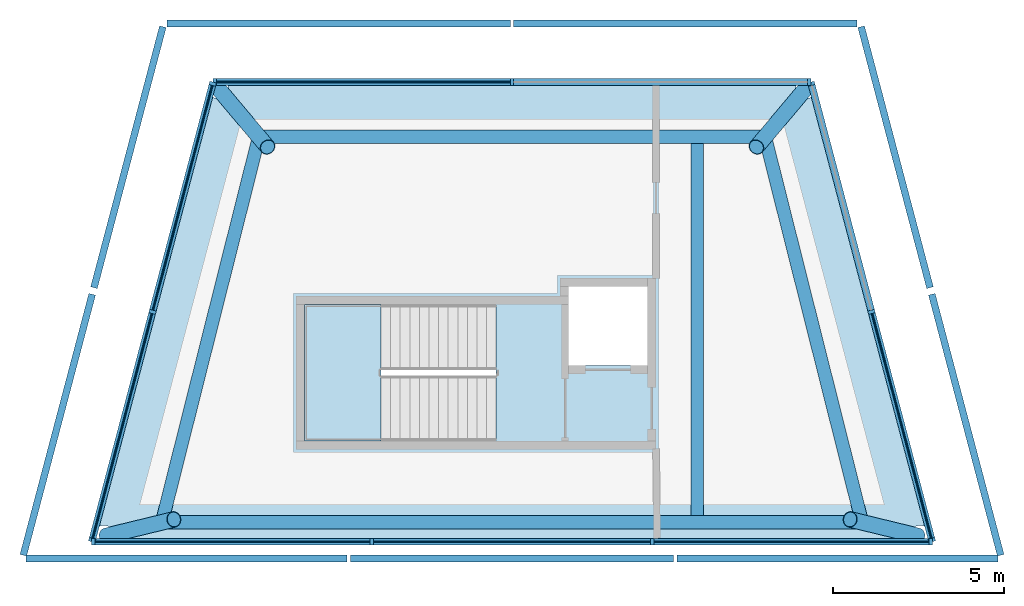
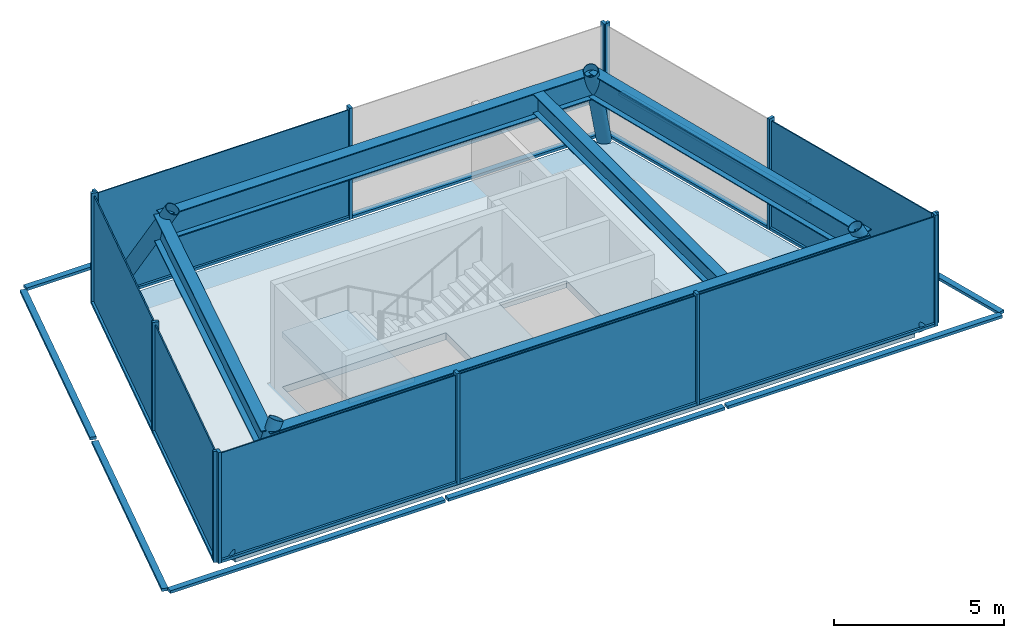
"""IFC4 building model written with IfcOpenShell, lengths in metres."""

from ifc_helpers import new_model, si_unit, direction, frame, origin, origin_2d, place, context, subcontext, project, spatial, polyline, rectangle, hollow_circle, i_section, outline, extrude, material, layer, layer_set, material_profile, profile_set, type_object, element, aggregate, save


model = new_model("IFC4")

# Units and contexts
model_context = context("Model", 3, precision=1e-05, world=origin(), true_north=direction((0.0, 1.0)))
body_context = subcontext(model_context, "Body", "Model", "MODEL_VIEW")
ifc_project = project(units=[si_unit("LENGTHUNIT", "METRE"), si_unit("AREAUNIT", "SQUARE_METRE"), si_unit("VOLUMEUNIT", "CUBIC_METRE"), si_unit("PLANEANGLEUNIT", "RADIAN"), si_unit("MASSUNIT", "GRAM", prefix="KILO")], contexts=[model_context])

# Site, building, storey
site_placement = place(None, origin())
site = spatial("IfcSite", under=ifc_project, at=site_placement, CompositionType="ELEMENT")
building_placement = place(site_placement, origin())
building = spatial("IfcBuilding", under=site, at=building_placement, Name="Quipu Civic Tower", CompositionType="ELEMENT")
storey_1_placement = place(building_placement, frame((0.0, 0.0, 380.0)))
storey_1 = spatial("IfcBuildingStorey", under=building, at=storey_1_placement, Name="L88", CompositionType="ELEMENT", Elevation=380.0)

# Beam
ifc_material_1 = material(Name="Steel ASTM A992 Grade 50 (fy 345 MPa)", Category="steel")
ifc_material_profile_1 = material_profile(ifc_material_1, i_section(OverallWidth=0.354736328125, OverallDepth=0.695556640625, WebThickness=0.015380859375, FlangeThickness=0.02490234375, at=origin_2d()), Name="W690x217")
ifc_profile_set_1 = profile_set([ifc_material_profile_1], Name="Steel ASTM A992 Grade 50 (fy 345 MPa)")
beam_type_1 = type_object("IfcBeamType", Name="Crown floor beam W690x217", PredefinedType="BEAM", material=ifc_profile_set_1)
beam_1_placement = place(storey_1_placement, frame((5.39990234375, -8.383544921875, 3.40234375), z_axis=(0.0, 1.0, 0.0), x_axis=(-1.0, 0.0, 0.0)))
element("IfcBeam", 1, at=beam_1_placement, inside=storey_1, type_object=beam_type_1, Name="Crown floor beam L88 454", PredefinedType="BEAM", context=body_context, shape_type="SweptSolid", body=[
    extrude(i_section(OverallWidth=0.354736328125, OverallDepth=0.695556640625, WebThickness=0.015380859375, FlangeThickness=0.02490234375, at=origin_2d()), origin(), (0.0, 0.0, 1.0), 10.855224609375),
])

# Members
ifc_material_2 = material(Name="Steel ASTM A500 Grade C (fy 345 MPa)", Category="steel")
ifc_material_profile_2 = material_profile(ifc_material_2, hollow_circle(Radius=0.228515625, WallThickness=0.015869140625, at=origin_2d()), Name="HSS457x15.9")
ifc_profile_set_2 = profile_set([ifc_material_profile_2], Name="Steel ASTM A500 Grade C (fy 345 MPa)")
member_type_1 = type_object("IfcMemberType", Name="Crown leg HSS457x15.9", PredefinedType="BRACE", material=ifc_profile_set_2)
for number, where, z_axis, x_axis, name in (
    (2, (-11.831298828125, -8.96923828125, 0.0), (0.439648984698, 0.106632705339, 0.891817378394), (-0.235706778152, 0.971824220079, 0.0), "Crown leg L88 1"),
    (3, (11.831298828125, -8.96923828125, 0.0), (-0.439648984698, 0.106632705339, 0.891817378394), (-0.235706778152, -0.971824220079, 0.0), "Crown leg L88 2"),
):
    element("IfcMember", number, at=place(storey_1_placement, frame(where, z_axis=z_axis, x_axis=x_axis)), inside=storey_1, type_object=member_type_1, Name=name, PredefinedType="BRACE", context=body_context, shape_type="SweptSolid", body=[
        extrude(hollow_circle(Radius=0.228515625, WallThickness=0.015869140625, at=origin_2d()), origin(), (0.0, 0.0, 1.0), 4.485107421875),
    ])
for number, where, z_axis, x_axis, name in (
    (4, (8.55126953125, 4.05810546875, 0.0), (-0.311781792121, -0.370367716403, 0.874997067851), (0.765019891013, -0.644006650862, 0.0), "Crown leg L88 3"),
    (5, (-8.55126953125, 4.05810546875, 0.0), (0.311781792121, -0.370367716403, 0.874997067851), (0.765019891013, 0.644006650862, 0.0), "Crown leg L88 4"),
):
    element("IfcMember", number, at=place(storey_1_placement, frame(where, z_axis=z_axis, x_axis=x_axis)), inside=storey_1, type_object=member_type_1, Name=name, PredefinedType="BRACE", context=body_context, shape_type="SweptSolid", body=[
        extrude(hollow_circle(Radius=0.228515625, WallThickness=0.015869140625, at=origin_2d()), origin(), (0.0, 0.0, 1.0), 4.571533203125),
    ])

# Beams
ifc_material_3 = material(Name="Steel ASTM A992 Grade 50 (fy 345 MPa)", Category="steel")
ifc_material_profile_3 = material_profile(ifc_material_3, i_section(OverallWidth=0.384033203125, OverallDepth=0.911865234375, WebThickness=0.019287109375, FlangeThickness=0.031982421875, at=origin_2d()), Name="W920x342")
ifc_profile_set_3 = profile_set([ifc_material_profile_3], Name="Steel ASTM A992 Grade 50 (fy 345 MPa)")
beam_type_2 = type_object("IfcBeamType", Name="Crown ring girder W920x342", PredefinedType="BEAM", material=ifc_profile_set_3)
beam_2_placement = place(storey_1_placement, frame((-10.20751953125, -8.575439453125, 3.294189453125), z_axis=(1.0, 0.0, 0.0), x_axis=(0.0, 1.0, 0.0)))
element("IfcBeam", 6, at=beam_2_placement, inside=storey_1, type_object=beam_type_2, Name="Crown ring girder L88 1 to 2", PredefinedType="BEAM", context=body_context, shape_type="SweptSolid", body=[
    extrude(i_section(OverallWidth=0.384033203125, OverallDepth=0.911865234375, WebThickness=0.019287109375, FlangeThickness=0.031982421875, at=origin_2d()), origin(), (0.0, 0.0, 1.0), 20.4150390625),
])
beam_3_placement = place(storey_1_placement, frame((10.20751953125, -8.575439453125, 3.294189453125), z_axis=(-0.244160984015, 0.969734713148, 0.0), x_axis=(-0.969734713148, -0.244160984015, 0.0)))
element("IfcBeam", 7, at=beam_3_placement, inside=storey_1, type_object=beam_type_2, Name="Crown ring girder L88 2 to 3", PredefinedType="BEAM", context=body_context, shape_type="SweptSolid", body=[
    extrude(i_section(OverallWidth=0.384033203125, OverallDepth=0.911865234375, WebThickness=0.019287109375, FlangeThickness=0.031982421875, at=origin_2d()), origin(), (0.0, 0.0, 1.0), 11.590087890625),
])
beam_4_placement = place(storey_1_placement, frame((7.377685546875, 2.663818359375, 3.294189453125), z_axis=(-1.0, 0.0, 0.0), x_axis=(0.0, -1.0, 0.0)))
element("IfcBeam", 8, at=beam_4_placement, inside=storey_1, type_object=beam_type_2, Name="Crown ring girder L88 3 to 4", PredefinedType="BEAM", context=body_context, shape_type="SweptSolid", body=[
    extrude(i_section(OverallWidth=0.384033203125, OverallDepth=0.911865234375, WebThickness=0.019287109375, FlangeThickness=0.031982421875, at=origin_2d()), origin(), (0.0, 0.0, 1.0), 14.75537109375),
])
beam_5_placement = place(storey_1_placement, frame((-7.377685546875, 2.663818359375, 3.294189453125), z_axis=(-0.244160984015, -0.969734713148, 0.0), x_axis=(0.969734713148, -0.244160984015, 0.0)))
element("IfcBeam", 9, at=beam_5_placement, inside=storey_1, type_object=beam_type_2, Name="Crown ring girder L88 4 to 1", PredefinedType="BEAM", context=body_context, shape_type="SweptSolid", body=[
    extrude(i_section(OverallWidth=0.384033203125, OverallDepth=0.911865234375, WebThickness=0.019287109375, FlangeThickness=0.031982421875, at=origin_2d()), origin(), (0.0, 0.0, 1.0), 11.590087890625),
])

# Curtain wall, members
ifc_material_4 = material(Name="Insulated glass unit", Category="glass")
curtain_wall_type_1 = type_object("IfcCurtainWallType", Name="Crown glass facets CW6", PredefinedType="NOTDEFINED", material=ifc_material_4)
curtain_wall_1_placement = place(storey_1_placement, origin())
curtain_wall_1 = element("IfcCurtainWall", 10, at=curtain_wall_1_placement, inside=storey_1, type_object=curtain_wall_type_1, Name="Crown glass facets CW6 L88 run 1", PredefinedType="NOTDEFINED")
ifc_material_5 = material(Name="Anodised aluminium", Category="aluminium")
ifc_material_profile_4 = material_profile(ifc_material_5, rectangle(XDim=0.199951171875, YDim=0.10009765625, at=origin_2d()), Name="RECT 200x100")
ifc_profile_set_4 = profile_set([ifc_material_profile_4], Name="Anodised aluminium")
member_type_2 = type_object("IfcMemberType", Name="Mullion CW6", PredefinedType="MULLION", material=ifc_profile_set_4)
member_1_placement = place(storey_1_placement, frame((-12.20263671875, -9.139892578125, 0.050048828125), z_axis=(0.0, 0.0, 1.0), x_axis=(0.0, 1.0, 0.0)))
member_1 = element("IfcMember", 11, at=member_1_placement, type_object=member_type_2, Name="CW6 mullion 1", PredefinedType="MULLION", context=body_context, shape_type="SweptSolid", body=[
    extrude(rectangle(XDim=0.199951171875, YDim=0.10009765625, at=origin_2d()), origin(), (0.0, 0.0, 1.0), 4.0),
])
member_2_placement = place(storey_1_placement, frame((-4.084228515625, -9.139892578125, 0.050048828125), z_axis=(0.0, 0.0, 1.0), x_axis=(0.0, 1.0, 0.0)))
member_2 = element("IfcMember", 12, at=member_2_placement, type_object=member_type_2, Name="CW6 mullion 2", PredefinedType="MULLION", context=body_context, shape_type="SweptSolid", body=[
    extrude(rectangle(XDim=0.199951171875, YDim=0.10009765625, at=origin_2d()), origin(), (0.0, 0.0, 1.0), 4.0),
])
member_3_placement = place(storey_1_placement, frame((4.084228515625, -9.139892578125, 0.050048828125), z_axis=(0.0, 0.0, 1.0), x_axis=(0.0, 1.0, 0.0)))
member_3 = element("IfcMember", 13, at=member_3_placement, type_object=member_type_2, Name="CW6 mullion 3", PredefinedType="MULLION", context=body_context, shape_type="SweptSolid", body=[
    extrude(rectangle(XDim=0.199951171875, YDim=0.10009765625, at=origin_2d()), origin(), (0.0, 0.0, 1.0), 4.0),
])
member_4_placement = place(storey_1_placement, frame((12.20263671875, -9.139892578125, 0.050048828125), z_axis=(0.0, 0.0, 1.0), x_axis=(0.0, 1.0, 0.0)))
member_4 = element("IfcMember", 14, at=member_4_placement, type_object=member_type_2, Name="CW6 mullion 4", PredefinedType="MULLION", context=body_context, shape_type="SweptSolid", body=[
    extrude(rectangle(XDim=0.199951171875, YDim=0.10009765625, at=origin_2d()), origin(), (0.0, 0.0, 1.0), 4.0),
])

curtain_wall_2_placement = place(storey_1_placement, origin())
curtain_wall_2 = element("IfcCurtainWall", 15, at=curtain_wall_2_placement, inside=storey_1, type_object=curtain_wall_type_1, Name="Crown glass facets CW6 L88 run 3", PredefinedType="NOTDEFINED")
member_5_placement = place(storey_1_placement, frame((8.6640625, 4.260009765625, 0.050048828125), z_axis=(0.0, 0.0, 1.0), x_axis=(0.0, -1.0, 0.0)))
member_5 = element("IfcMember", 16, at=member_5_placement, type_object=member_type_2, Name="CW6 mullion 1", PredefinedType="MULLION", context=body_context, shape_type="SweptSolid", body=[
    extrude(rectangle(XDim=0.199951171875, YDim=0.10009765625, at=origin_2d()), origin(), (0.0, 0.0, 1.0), 4.0),
])
member_6_placement = place(storey_1_placement, frame((0.0, 4.260009765625, 0.050048828125), z_axis=(0.0, 0.0, 1.0), x_axis=(0.0, -1.0, 0.0)))
member_6 = element("IfcMember", 17, at=member_6_placement, type_object=member_type_2, Name="CW6 mullion 2", PredefinedType="MULLION", context=body_context, shape_type="SweptSolid", body=[
    extrude(rectangle(XDim=0.199951171875, YDim=0.10009765625, at=origin_2d()), origin(), (0.0, 0.0, 1.0), 4.0),
])
member_7_placement = place(storey_1_placement, frame((-8.6640625, 4.260009765625, 0.050048828125), z_axis=(0.0, 0.0, 1.0), x_axis=(0.0, -1.0, 0.0)))
member_7 = element("IfcMember", 18, at=member_7_placement, type_object=member_type_2, Name="CW6 mullion 3", PredefinedType="MULLION", context=body_context, shape_type="SweptSolid", body=[
    extrude(rectangle(XDim=0.199951171875, YDim=0.10009765625, at=origin_2d()), origin(), (0.0, 0.0, 1.0), 4.0),
])

ifc_material_6 = material(Name="Anodised aluminium insulated panel", Category="aluminium")
curtain_wall_type_2 = type_object("IfcCurtainWallType", Name="Insulated infill wall CW6I", PredefinedType="NOTDEFINED", material=ifc_material_6)
curtain_wall_3_placement = place(storey_1_placement, origin())
curtain_wall_3 = element("IfcCurtainWall", 19, at=curtain_wall_3_placement, inside=storey_1, type_object=curtain_wall_type_2, Name="Insulated infill wall CW6I L88 run 2", PredefinedType="NOTDEFINED")
ifc_material_7 = material(Name="Anodised aluminium", Category="aluminium")
ifc_material_profile_5 = material_profile(ifc_material_7, rectangle(XDim=0.199951171875, YDim=0.10009765625, at=origin_2d()), Name="RECT 200x100")
ifc_profile_set_5 = profile_set([ifc_material_profile_5], Name="Anodised aluminium")
member_type_3 = type_object("IfcMemberType", Name="Mullion CW6I", PredefinedType="MULLION", material=ifc_profile_set_5)
member_8_placement = place(storey_1_placement, frame((12.239990234375, -9.091552734375, 0.050048828125), z_axis=(0.0, 0.0, 1.0), x_axis=(-0.966856039352, -0.255322147823, 0.0)))
member_8 = element("IfcMember", 20, at=member_8_placement, type_object=member_type_3, Name="CW6I mullion 1", PredefinedType="MULLION", context=body_context, shape_type="SweptSolid", body=[
    extrude(rectangle(XDim=0.199951171875, YDim=0.10009765625, at=origin_2d()), origin(), (0.0, 0.0, 1.0), 4.0),
])
member_9_placement = place(storey_1_placement, frame((10.4833984375, -2.43994140625, 0.050048828125), z_axis=(0.0, 0.0, 1.0), x_axis=(-0.966856039352, -0.255322147823, 0.0)))
member_9 = element("IfcMember", 21, at=member_9_placement, type_object=member_type_3, Name="CW6I mullion 2", PredefinedType="MULLION", context=body_context, shape_type="SweptSolid", body=[
    extrude(rectangle(XDim=0.199951171875, YDim=0.10009765625, at=origin_2d()), origin(), (0.0, 0.0, 1.0), 4.0),
])
member_10_placement = place(storey_1_placement, frame((8.726806640625, 4.211669921875, 0.050048828125), z_axis=(0.0, 0.0, 1.0), x_axis=(-0.966856039352, -0.255322147823, 0.0)))
member_10 = element("IfcMember", 22, at=member_10_placement, type_object=member_type_3, Name="CW6I mullion 3", PredefinedType="MULLION", context=body_context, shape_type="SweptSolid", body=[
    extrude(rectangle(XDim=0.199951171875, YDim=0.10009765625, at=origin_2d()), origin(), (0.0, 0.0, 1.0), 4.0),
])

curtain_wall_4_placement = place(storey_1_placement, origin())
curtain_wall_4 = element("IfcCurtainWall", 23, at=curtain_wall_4_placement, inside=storey_1, type_object=curtain_wall_type_2, Name="Insulated infill wall CW6I L88 run 4", PredefinedType="NOTDEFINED")
member_11_placement = place(storey_1_placement, frame((-8.726806640625, 4.211669921875, 0.050048828125), z_axis=(0.0, 0.0, 1.0), x_axis=(0.966856039352, -0.255322147823, 0.0)))
member_11 = element("IfcMember", 24, at=member_11_placement, type_object=member_type_3, Name="CW6I mullion 1", PredefinedType="MULLION", context=body_context, shape_type="SweptSolid", body=[
    extrude(rectangle(XDim=0.199951171875, YDim=0.10009765625, at=origin_2d()), origin(), (0.0, 0.0, 1.0), 4.0),
])
member_12_placement = place(storey_1_placement, frame((-10.4833984375, -2.43994140625, 0.050048828125), z_axis=(0.0, 0.0, 1.0), x_axis=(0.966856039352, -0.255322147823, 0.0)))
member_12 = element("IfcMember", 25, at=member_12_placement, type_object=member_type_3, Name="CW6I mullion 2", PredefinedType="MULLION", context=body_context, shape_type="SweptSolid", body=[
    extrude(rectangle(XDim=0.199951171875, YDim=0.10009765625, at=origin_2d()), origin(), (0.0, 0.0, 1.0), 4.0),
])
member_13_placement = place(storey_1_placement, frame((-12.239990234375, -9.091552734375, 0.050048828125), z_axis=(0.0, 0.0, 1.0), x_axis=(0.966856039352, -0.255322147823, 0.0)))
member_13 = element("IfcMember", 26, at=member_13_placement, type_object=member_type_3, Name="CW6I mullion 3", PredefinedType="MULLION", context=body_context, shape_type="SweptSolid", body=[
    extrude(rectangle(XDim=0.199951171875, YDim=0.10009765625, at=origin_2d()), origin(), (0.0, 0.0, 1.0), 4.0),
])

# Storey
storey_2_placement = place(building_placement, frame((0.0, 0.0, 376.0)))
storey_2 = spatial("IfcBuildingStorey", under=building, at=storey_2_placement, Name="L87", CompositionType="ELEMENT", Elevation=376.0)

# Curtain wall, members
curtain_wall_5_placement = place(storey_2_placement, origin())
curtain_wall_5 = element("IfcCurtainWall", 27, at=curtain_wall_5_placement, inside=storey_2, type_object=curtain_wall_type_1, Name="Crown glass facets CW6 L87 run 1", PredefinedType="NOTDEFINED")
ifc_material_8 = material(Name="Anodised aluminium", Category="aluminium")
ifc_material_profile_6 = material_profile(ifc_material_8, rectangle(XDim=0.199951171875, YDim=0.10009765625, at=origin_2d()), Name="RECT 200x100")
ifc_profile_set_6 = profile_set([ifc_material_profile_6], Name="Anodised aluminium")
member_type_4 = type_object("IfcMemberType", Name="Transom CW6", PredefinedType="USERDEFINED", material=ifc_profile_set_6)
member_14_placement = place(storey_1_placement, frame((-14.173095703125, -9.6298828125, 0.0), z_axis=(1.0, 0.0, 0.0), x_axis=(0.0, 1.0, 0.0)))
member_14 = element("IfcMember", 28, at=member_14_placement, inside=storey_1, type_object=member_type_4, Name="CW6 transom 1.2", ObjectType="TRANSOM", PredefinedType="USERDEFINED", context=body_context, shape_type="SweptSolid", body=[
    extrude(rectangle(XDim=0.199951171875, YDim=0.10009765625, at=origin_2d()), origin(), (0.0, 0.0, 1.0), 9.365478515625),
])
member_15_placement = place(storey_1_placement, frame((-4.707763671875, -9.6298828125, 0.0), z_axis=(1.0, 0.0, 0.0), x_axis=(0.0, 1.0, 0.0)))
member_15 = element("IfcMember", 29, at=member_15_placement, inside=storey_1, type_object=member_type_4, Name="CW6 transom 2.2", ObjectType="TRANSOM", PredefinedType="USERDEFINED", context=body_context, shape_type="SweptSolid", body=[
    extrude(rectangle(XDim=0.199951171875, YDim=0.10009765625, at=origin_2d()), origin(), (0.0, 0.0, 1.0), 9.41552734375),
])
member_16_placement = place(storey_1_placement, frame((4.8076171875, -9.6298828125, 0.0), z_axis=(1.0, 0.0, 0.0), x_axis=(0.0, 1.0, 0.0)))
member_16 = element("IfcMember", 30, at=member_16_placement, inside=storey_1, type_object=member_type_4, Name="CW6 transom 3.2", ObjectType="TRANSOM", PredefinedType="USERDEFINED", context=body_context, shape_type="SweptSolid", body=[
    extrude(rectangle(XDim=0.199951171875, YDim=0.10009765625, at=origin_2d()), origin(), (0.0, 0.0, 1.0), 9.365478515625),
])
aggregate(curtain_wall_5, [member_14, member_15, member_16])

# Curtain wall, member
curtain_wall_6_placement = place(storey_2_placement, origin())
curtain_wall_6 = element("IfcCurtainWall", 31, at=curtain_wall_6_placement, inside=storey_2, type_object=curtain_wall_type_1, Name="Crown glass facets CW6 L87 run 2b", PredefinedType="NOTDEFINED")
member_17_placement = place(storey_1_placement, frame((12.18798828125, -1.7333984375, 0.0), z_axis=(-0.255328728475, 0.966854301545, 0.0), x_axis=(-0.966854301545, -0.255328728475, 0.0)))
member_17 = element("IfcMember", 32, at=member_17_placement, inside=storey_1, type_object=member_type_4, Name="CW6 transom 1.2", ObjectType="TRANSOM", PredefinedType="USERDEFINED", context=body_context, shape_type="SweptSolid", body=[
    extrude(rectangle(XDim=0.199951171875, YDim=0.10009765625, at=origin_2d()), origin(), (0.0, 0.0, 1.0), 7.867431640625),
])
aggregate(curtain_wall_6, [member_17])

# Curtain wall, members
curtain_wall_7_placement = place(storey_2_placement, origin())
curtain_wall_7 = element("IfcCurtainWall", 33, at=curtain_wall_7_placement, inside=storey_2, type_object=curtain_wall_type_1, Name="Crown glass facets CW6 L87 run 3", PredefinedType="NOTDEFINED")
member_18_placement = place(storey_1_placement, frame((10.0537109375, 5.969970703125, 0.0), z_axis=(-1.0, 0.0, 0.0), x_axis=(0.0, -1.0, 0.0)))
member_18 = element("IfcMember", 34, at=member_18_placement, inside=storey_1, type_object=member_type_4, Name="CW6 transom 1.2", ObjectType="TRANSOM", PredefinedType="USERDEFINED", context=body_context, shape_type="SweptSolid", body=[
    extrude(rectangle(XDim=0.199951171875, YDim=0.10009765625, at=origin_2d()), origin(), (0.0, 0.0, 1.0), 10.003662109375),
])
member_19_placement = place(storey_1_placement, frame((-0.050048828125, 5.969970703125, 0.0), z_axis=(-1.0, 0.0, 0.0), x_axis=(0.0, -1.0, 0.0)))
member_19 = element("IfcMember", 35, at=member_19_placement, inside=storey_1, type_object=member_type_4, Name="CW6 transom 2.2", ObjectType="TRANSOM", PredefinedType="USERDEFINED", context=body_context, shape_type="SweptSolid", body=[
    extrude(rectangle(XDim=0.199951171875, YDim=0.10009765625, at=origin_2d()), origin(), (0.0, 0.0, 1.0), 10.003662109375),
])
aggregate(curtain_wall_7, [member_18, member_19])

# Curtain wall, member
curtain_wall_8_placement = place(storey_2_placement, origin())
curtain_wall_8 = element("IfcCurtainWall", 36, at=curtain_wall_8_placement, inside=storey_2, type_object=curtain_wall_type_1, Name="Crown glass facets CW6 L87 run 4a", PredefinedType="NOTDEFINED")
member_20_placement = place(storey_1_placement, frame((-10.17919921875, 5.873291015625, 0.0), z_axis=(-0.255328728475, -0.966854301545, 0.0), x_axis=(0.966854301545, -0.255328728475, 0.0)))
member_20 = element("IfcMember", 37, at=member_20_placement, inside=storey_1, type_object=member_type_4, Name="CW6 transom 1.2", ObjectType="TRANSOM", PredefinedType="USERDEFINED", context=body_context, shape_type="SweptSolid", body=[
    extrude(rectangle(XDim=0.199951171875, YDim=0.10009765625, at=origin_2d()), origin(), (0.0, 0.0, 1.0), 7.867431640625),
])
aggregate(curtain_wall_8, [member_20])

# Member
member_21_placement = place(storey_1_placement, frame((-12.152587890625, -9.139892578125, 0.10009765625), z_axis=(1.0, 0.0, 0.0), x_axis=(0.0, 1.0, 0.0)))
member_21 = element("IfcMember", 38, at=member_21_placement, type_object=member_type_4, Name="CW6 transom 1.1", ObjectType="TRANSOM", PredefinedType="USERDEFINED", context=body_context, shape_type="SweptSolid", body=[
    extrude(rectangle(XDim=0.199951171875, YDim=0.10009765625, at=origin_2d()), origin(), (0.0, 0.0, 1.0), 8.018310546875),
])

member_22_placement = place(storey_1_placement, frame((-4.0341796875, -9.139892578125, 0.10009765625), z_axis=(1.0, 0.0, 0.0), x_axis=(0.0, 1.0, 0.0)))
member_22 = element("IfcMember", 39, at=member_22_placement, type_object=member_type_4, Name="CW6 transom 2.1", ObjectType="TRANSOM", PredefinedType="USERDEFINED", context=body_context, shape_type="SweptSolid", body=[
    extrude(rectangle(XDim=0.199951171875, YDim=0.10009765625, at=origin_2d()), origin(), (0.0, 0.0, 1.0), 8.068359375),
])

member_23_placement = place(storey_1_placement, frame((4.13427734375, -9.139892578125, 0.10009765625), z_axis=(1.0, 0.0, 0.0), x_axis=(0.0, 1.0, 0.0)))
member_23 = element("IfcMember", 40, at=member_23_placement, type_object=member_type_4, Name="CW6 transom 3.1", ObjectType="TRANSOM", PredefinedType="USERDEFINED", context=body_context, shape_type="SweptSolid", body=[
    extrude(rectangle(XDim=0.199951171875, YDim=0.10009765625, at=origin_2d()), origin(), (0.0, 0.0, 1.0), 8.018310546875),
])

member_24_placement = place(storey_1_placement, frame((8.614013671875, 4.260009765625, 0.10009765625), z_axis=(-1.0, 0.0, 0.0), x_axis=(0.0, -1.0, 0.0)))
member_24 = element("IfcMember", 41, at=member_24_placement, type_object=member_type_4, Name="CW6 transom 1.1", ObjectType="TRANSOM", PredefinedType="USERDEFINED", context=body_context, shape_type="SweptSolid", body=[
    extrude(rectangle(XDim=0.199951171875, YDim=0.10009765625, at=origin_2d()), origin(), (0.0, 0.0, 1.0), 8.56396484375),
])

member_25_placement = place(storey_1_placement, frame((-0.050048828125, 4.260009765625, 0.10009765625), z_axis=(-1.0, 0.0, 0.0), x_axis=(0.0, -1.0, 0.0)))
member_25 = element("IfcMember", 42, at=member_25_placement, type_object=member_type_4, Name="CW6 transom 2.1", ObjectType="TRANSOM", PredefinedType="USERDEFINED", context=body_context, shape_type="SweptSolid", body=[
    extrude(rectangle(XDim=0.199951171875, YDim=0.10009765625, at=origin_2d()), origin(), (0.0, 0.0, 1.0), 8.56396484375),
])

# Curtain wall, member
curtain_wall_9_placement = place(storey_2_placement, origin())
curtain_wall_9 = element("IfcCurtainWall", 43, at=curtain_wall_9_placement, inside=storey_2, type_object=curtain_wall_type_2, Name="Insulated infill wall CW6I L87 run 2a", PredefinedType="NOTDEFINED")
ifc_material_9 = material(Name="Anodised aluminium", Category="aluminium")
ifc_material_profile_7 = material_profile(ifc_material_9, rectangle(XDim=0.199951171875, YDim=0.10009765625, at=origin_2d()), Name="RECT 200x100")
ifc_profile_set_7 = profile_set([ifc_material_profile_7], Name="Anodised aluminium")
member_type_5 = type_object("IfcMemberType", Name="Transom CW6I", PredefinedType="USERDEFINED", material=ifc_profile_set_7)
member_26_placement = place(storey_1_placement, frame((14.24755859375, -9.533203125, 0.0), z_axis=(-0.255307379616, 0.96685993914, 0.0), x_axis=(-0.96685993914, -0.255307379616, 0.0)))
member_26 = element("IfcMember", 44, at=member_26_placement, inside=storey_1, type_object=member_type_5, Name="CW6I transom 1.2", ObjectType="TRANSOM", PredefinedType="USERDEFINED", context=body_context, shape_type="SweptSolid", body=[
    extrude(rectangle(XDim=0.199951171875, YDim=0.10009765625, at=origin_2d()), origin(), (0.0, 0.0, 1.0), 7.8671875),
])
aggregate(curtain_wall_9, [member_26])

curtain_wall_10_placement = place(storey_2_placement, origin())
curtain_wall_10 = element("IfcCurtainWall", 45, at=curtain_wall_10_placement, inside=storey_2, type_object=curtain_wall_type_2, Name="Insulated infill wall CW6I L87 run 4b", PredefinedType="NOTDEFINED")
member_27_placement = place(storey_1_placement, frame((-12.239013671875, -1.9267578125, 0.0), z_axis=(-0.255307379616, -0.96685993914, 0.0), x_axis=(0.96685993914, -0.255307379616, 0.0)))
member_27 = element("IfcMember", 46, at=member_27_placement, inside=storey_1, type_object=member_type_5, Name="CW6I transom 1.2", ObjectType="TRANSOM", PredefinedType="USERDEFINED", context=body_context, shape_type="SweptSolid", body=[
    extrude(rectangle(XDim=0.199951171875, YDim=0.10009765625, at=origin_2d()), origin(), (0.0, 0.0, 1.0), 7.8671875),
])
aggregate(curtain_wall_10, [member_27])

# Member
member_28_placement = place(storey_1_placement, frame((12.22705078125, -9.043212890625, 0.10009765625), z_axis=(-0.255317446503, 0.966857280839, 0.0), x_axis=(-0.966857280839, -0.255317446503, 0.0)))
member_28 = element("IfcMember", 47, at=member_28_placement, type_object=member_type_5, Name="CW6I transom 1.1", ObjectType="TRANSOM", PredefinedType="USERDEFINED", context=body_context, shape_type="SweptSolid", body=[
    extrude(rectangle(XDim=0.199951171875, YDim=0.10009765625, at=origin_2d()), origin(), (0.0, 0.0, 1.0), 6.779541015625),
])

member_29_placement = place(storey_1_placement, frame((10.470703125, -2.3916015625, 0.10009765625), z_axis=(-0.255317446503, 0.966857280839, 0.0), x_axis=(-0.966857280839, -0.255317446503, 0.0)))
member_29 = element("IfcMember", 48, at=member_29_placement, type_object=member_type_5, Name="CW6I transom 2.1", ObjectType="TRANSOM", PredefinedType="USERDEFINED", context=body_context, shape_type="SweptSolid", body=[
    extrude(rectangle(XDim=0.199951171875, YDim=0.10009765625, at=origin_2d()), origin(), (0.0, 0.0, 1.0), 6.779541015625),
])

member_30_placement = place(storey_1_placement, frame((-8.73974609375, 4.163330078125, 0.10009765625), z_axis=(-0.255317446503, -0.966857280839, 0.0), x_axis=(0.966857280839, -0.255317446503, 0.0)))
member_30 = element("IfcMember", 49, at=member_30_placement, type_object=member_type_5, Name="CW6I transom 1.1", ObjectType="TRANSOM", PredefinedType="USERDEFINED", context=body_context, shape_type="SweptSolid", body=[
    extrude(rectangle(XDim=0.199951171875, YDim=0.10009765625, at=origin_2d()), origin(), (0.0, 0.0, 1.0), 6.779541015625),
])

member_31_placement = place(storey_1_placement, frame((-10.49609375, -2.48828125, 0.10009765625), z_axis=(-0.255317446503, -0.966857280839, 0.0), x_axis=(0.966857280839, -0.255317446503, 0.0)))
member_31 = element("IfcMember", 50, at=member_31_placement, type_object=member_type_5, Name="CW6I transom 2.1", ObjectType="TRANSOM", PredefinedType="USERDEFINED", context=body_context, shape_type="SweptSolid", body=[
    extrude(rectangle(XDim=0.199951171875, YDim=0.10009765625, at=origin_2d()), origin(), (0.0, 0.0, 1.0), 6.779541015625),
])

# Slab
ifc_material_10 = material(Name="Concrete C40/50", Category="concrete")
ifc_layer_1 = layer(ifc_material_10, 0.25)
ifc_layer_set_1 = layer_set([ifc_layer_1], Name="Concrete C40/50")
slab_type_1 = type_object("IfcSlabType", Name="Crown floor slab 250 C40/50", PredefinedType="FLOOR", material=ifc_layer_set_1)
slab_1_placement = place(storey_1_placement, frame((0.0, 0.0, -0.25)))
element("IfcSlab", 51, at=slab_1_placement, inside=storey_1, type_object=slab_type_1, Name="Crown floor slab L88", PredefinedType="FLOOR", context=body_context, shape_type="SweptSolid", body=[
    extrude(outline(polyline([(-11.574951171875, -8.985107421875), (-11.5849609375, -8.889892578125), (-11.625, -8.804931640625), (-11.68994140625, -8.735107421875), (-11.739990234375, -8.699951171875), (-11.860107421875, -8.6650390625), (-11.955078125, -8.669921875), (-12.030029296875, -8.695068359375), (-8.72509765625, 3.820068359375), (-8.659912109375, 3.794921875), (-8.56494140625, 3.7900390625), (-8.47509765625, 3.81494140625), (-8.419921875, 3.844970703125), (-8.3701171875, 3.885009765625), (-8.330078125, 3.93505859375), (-8.300048828125, 3.989990234375), (-8.27490234375, 4.080078125), (-8.280029296875, 4.159912109375), (8.280029296875, 4.159912109375), (8.27490234375, 4.080078125), (8.300048828125, 3.989990234375), (8.330078125, 3.93505859375), (8.3701171875, 3.885009765625), (8.419921875, 3.844970703125), (8.47509765625, 3.81494140625), (8.56494140625, 3.7900390625), (8.659912109375, 3.794921875), (8.72509765625, 3.820068359375), (12.030029296875, -8.695068359375), (11.955078125, -8.669921875), (11.860107421875, -8.6650390625), (11.739990234375, -8.699951171875), (11.68994140625, -8.735107421875), (11.625, -8.804931640625), (11.594970703125, -8.860107421875), (11.574951171875, -8.955078125), (11.580078125, -9.0400390625), (-11.580078125, -9.0400390625), (-11.574951171875, -8.985107421875)]), holes=[polyline([(-6.044921875, -2.235107421875), (-6.044921875, -6.195068359375), (-0.465087890625, -6.195068359375), (-0.465087890625, -2.235107421875), (-6.044921875, -2.235107421875)]), polyline([(3.949951171875, -1.699951171875), (1.64990234375, -1.699951171875), (1.64990234375, -4.0), (3.949951171875, -4.0), (3.949951171875, -1.699951171875)])]), origin(), (0.0, 0.0, 1.0), 0.25),
])

# Plate
ifc_material_11 = material(Name="Insulated glass unit", Category="glass")
ifc_layer_2 = layer(ifc_material_11, 0.0400390625)
ifc_layer_set_2 = layer_set([ifc_layer_2], Name="Insulated glass unit")
plate_type_1 = type_object("IfcPlateType", Name="Glass panel CW6", PredefinedType="CURTAIN_PANEL", material=ifc_layer_set_2)
plate_1_placement = place(storey_1_placement, frame((-8.1435546875, -9.139892578125, 0.14990234375), z_axis=(0.0, 0.0, 1.0), x_axis=(1.0, 0.0, 0.0)))
plate_1 = element("IfcPlate", 52, at=plate_1_placement, type_object=plate_type_1, Name="CW6 panel 1.1", PredefinedType="CURTAIN_PANEL", context=body_context, shape_type="SweptSolid", body=[
    extrude(rectangle(XDim=8.0185546875, YDim=0.0400390625, at=origin_2d()), origin(), (0.0, 0.0, 1.0), 3.800048828125),
])

plate_2_placement = place(storey_1_placement, frame((0.0, -9.139892578125, 0.14990234375), z_axis=(0.0, 0.0, 1.0), x_axis=(1.0, 0.0, 0.0)))
plate_2 = element("IfcPlate", 53, at=plate_2_placement, type_object=plate_type_1, Name="CW6 panel 2.1", PredefinedType="CURTAIN_PANEL", context=body_context, shape_type="SweptSolid", body=[
    extrude(rectangle(XDim=8.068359375, YDim=0.0400390625, at=origin_2d()), origin(), (0.0, 0.0, 1.0), 3.800048828125),
])

plate_3_placement = place(storey_1_placement, frame((8.1435546875, -9.139892578125, 0.14990234375), z_axis=(0.0, 0.0, 1.0), x_axis=(1.0, 0.0, 0.0)))
plate_3 = element("IfcPlate", 54, at=plate_3_placement, type_object=plate_type_1, Name="CW6 panel 3.1", PredefinedType="CURTAIN_PANEL", context=body_context, shape_type="SweptSolid", body=[
    extrude(rectangle(XDim=8.0185546875, YDim=0.0400390625, at=origin_2d()), origin(), (0.0, 0.0, 1.0), 3.800048828125),
])

aggregate(curtain_wall_1, [member_1, member_2, member_3, member_4, member_21, plate_1, member_22, plate_2, member_23, plate_3])

plate_4_placement = place(storey_1_placement, frame((-4.33203125, 4.260009765625, 0.14990234375), z_axis=(0.0, 0.0, 1.0), x_axis=(-1.0, 0.0, 0.0)))
plate_4 = element("IfcPlate", 55, at=plate_4_placement, type_object=plate_type_1, Name="CW6 panel 2.1", PredefinedType="CURTAIN_PANEL", context=body_context, shape_type="SweptSolid", body=[
    extrude(rectangle(XDim=8.564208984375, YDim=0.0400390625, at=origin_2d()), origin(), (0.0, 0.0, 1.0), 3.800048828125),
])

aggregate(curtain_wall_2, [member_5, member_6, member_7, member_24, member_25, plate_4])

ifc_material_12 = material(Name="Anodised aluminium insulated panel", Category="aluminium")
ifc_layer_3 = layer(ifc_material_12, 0.0400390625)
ifc_layer_set_3 = layer_set([ifc_layer_3], Name="Anodised aluminium insulated panel")
plate_type_2 = type_object("IfcPlateType", Name="Insulated panel CW6I", PredefinedType="CURTAIN_PANEL", material=ifc_layer_set_3)
plate_5_placement = place(storey_1_placement, frame((11.361572265625, -5.765869140625, 0.14990234375), z_axis=(0.0, 0.0, 1.0), x_axis=(-0.255322147823, 0.966856039352, 0.0)))
plate_5 = element("IfcPlate", 56, at=plate_5_placement, type_object=plate_type_2, Name="CW6I panel 1.1", PredefinedType="CURTAIN_PANEL", context=body_context, shape_type="SweptSolid", body=[
    extrude(rectangle(XDim=6.77978515625, YDim=0.0400390625, at=origin_2d()), origin(), (0.0, 0.0, 1.0), 3.800048828125),
])

aggregate(curtain_wall_3, [member_8, member_9, member_10, member_28, plate_5, member_29])

plate_6_placement = place(storey_1_placement, frame((-9.605224609375, 0.8857421875, 0.14990234375), z_axis=(0.0, 0.0, 1.0), x_axis=(-0.255322147823, -0.966856039352, 0.0)))
plate_6 = element("IfcPlate", 57, at=plate_6_placement, type_object=plate_type_2, Name="CW6I panel 1.1", PredefinedType="CURTAIN_PANEL", context=body_context, shape_type="SweptSolid", body=[
    extrude(rectangle(XDim=6.77978515625, YDim=0.0400390625, at=origin_2d()), origin(), (0.0, 0.0, 1.0), 3.800048828125),
])

plate_7_placement = place(storey_1_placement, frame((-11.361572265625, -5.765869140625, 0.14990234375), z_axis=(0.0, 0.0, 1.0), x_axis=(-0.255322147823, -0.966856039352, 0.0)))
plate_7 = element("IfcPlate", 58, at=plate_7_placement, type_object=plate_type_2, Name="CW6I panel 2.1", PredefinedType="CURTAIN_PANEL", context=body_context, shape_type="SweptSolid", body=[
    extrude(rectangle(XDim=6.77978515625, YDim=0.0400390625, at=origin_2d()), origin(), (0.0, 0.0, 1.0), 3.800048828125),
])

aggregate(curtain_wall_4, [member_11, member_12, member_13, member_30, plate_6, member_31, plate_7])

# Stair, slab
ifc_material_13 = material(Name="Concrete C40/50", Category="concrete")
stair_type = type_object("IfcStairType", Name="Half turn stair 1910", PredefinedType="HALF_TURN_STAIR", material=ifc_material_13)
stair_placement = place(storey_1_placement, origin())
stair = element("IfcStair", 59, at=stair_placement, inside=storey_1, type_object=stair_type, Name="Crown access stair", PredefinedType="HALF_TURN_STAIR")
ifc_material_14 = material(Name="Concrete C40/50", Category="concrete")
ifc_layer_4 = layer(ifc_material_14, 0.199951171875)
ifc_layer_set_4 = layer_set([ifc_layer_4], Name="Concrete C40/50")
slab_type_2 = type_object("IfcSlabType", Name="Stair landing 200", PredefinedType="LANDING", material=ifc_layer_set_4)
slab_2_placement = place(storey_1_placement, frame((0.0, 0.0, 1.800048828125)))
slab_2 = element("IfcSlab", 60, at=slab_2_placement, type_object=slab_type_2, Name="ST-5 landing 1", PredefinedType="LANDING", context=body_context, shape_type="SweptSolid", body=[
    extrude(outline(polyline([(-3.820068359375, -2.22998046875), (-6.050048828125, -2.22998046875), (-6.050048828125, -6.199951171875), (-3.820068359375, -6.199951171875), (-3.820068359375, -2.22998046875)])), origin(), (0.0, 0.0, 1.0), 0.199951171875),
])
aggregate(stair, [slab_2])

save(model, "model.ifc")
